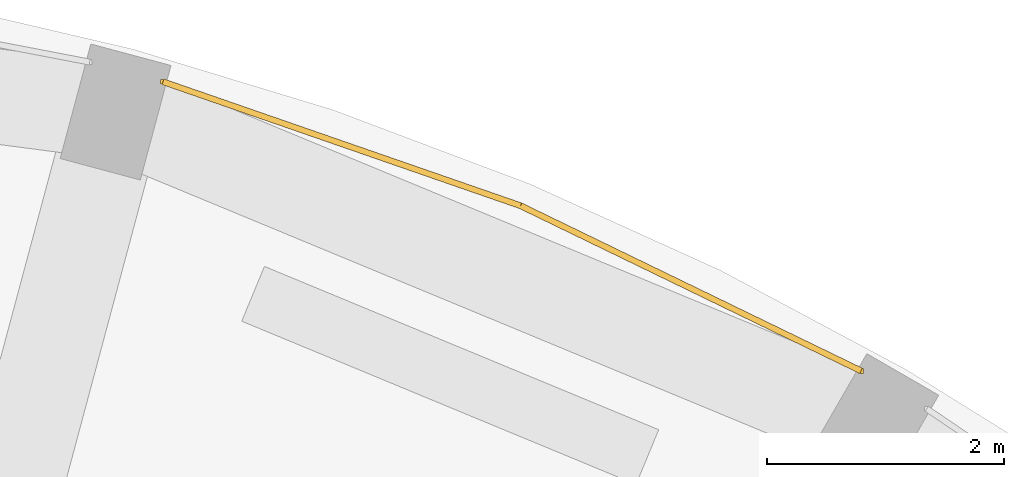
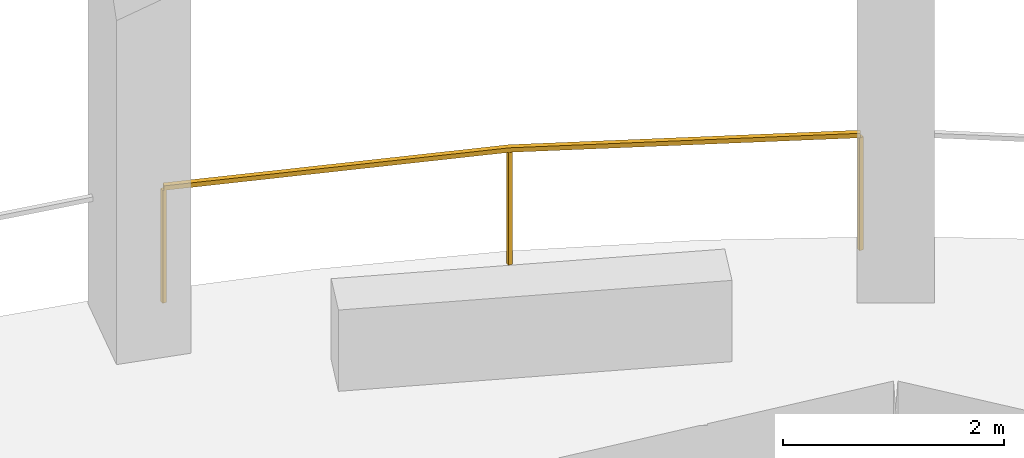
# One storey, part 9 of 9: 1 railing.
"""IFC4 building model written with IfcOpenShell, lengths in metres."""

from ifc_helpers import new_model, si_unit, direction, frame, origin, origin_2d, place, context, subcontext, project, spatial, rectangle, extrude, material, type_object, element, save


model = new_model("IFC4")

# Units and contexts
model_context = context("Model", 3, precision=1e-05, world=origin(), true_north=direction((0.0, 1.0)))
body_context = subcontext(model_context, "Body", "Model", "MODEL_VIEW")
ifc_project = project(units=[si_unit("LENGTHUNIT", "METRE"), si_unit("AREAUNIT", "SQUARE_METRE"), si_unit("VOLUMEUNIT", "CUBIC_METRE"), si_unit("PLANEANGLEUNIT", "RADIAN"), si_unit("MASSUNIT", "GRAM", prefix="KILO")], contexts=[model_context])

# Site, building, storey
site_placement = place(None, origin())
site = spatial("IfcSite", under=ifc_project, at=site_placement, CompositionType="ELEMENT")
building_placement = place(site_placement, origin())
building = spatial("IfcBuilding", under=site, at=building_placement, Name="Torre Triforio", CompositionType="ELEMENT")
storey_placement = place(building_placement, frame((0.0, 0.0, 59.0)))
storey = spatial("IfcBuildingStorey", under=building, at=storey_placement, Name="L12", CompositionType="ELEMENT", Elevation=59.0)

# Railing
ifc_material = material(Name="Stainless steel AISI 316", Category="steel")
railing_type = type_object("IfcRailingType", Name="Loggia guard 1300", PredefinedType="GUARDRAIL", material=ifc_material)
railing_placement = place(storey_placement, frame((13.14794921875, 23.412841796875, 0.0)))
element("IfcRailing", 1, at=railing_placement, inside=storey, type_object=railing_type, Name="Loggia guard L12 bay 05", PredefinedType="GUARDRAIL", context=body_context, shape_type="SweptSolid", body=[
    extrude(rectangle(XDim=0.050048828125, YDim=0.050048828125, at=origin_2d()), frame((0.0, 0.0, 1.27490234375), z_axis=(-0.899760432952, 0.436384192305, 0.0), x_axis=(-0.436384192305, -0.899760432952, 0.0)), (0.0, 0.0, 1.0), 3.19287109375),
    extrude(rectangle(XDim=0.050048828125, YDim=0.050048828125, at=origin_2d()), frame((-2.872802734375, 1.393310546875, 1.27490234375), z_axis=(-0.94480685358, 0.327627852034, 0.0), x_axis=(-0.327627852034, -0.94480685358, 0.0)), (0.0, 0.0, 1.0), 3.193115234375),
    extrude(rectangle(XDim=0.0400390625, YDim=0.0400390625, at=origin_2d()), origin(), (0.0, 0.0, 1.0), 1.25),
    extrude(rectangle(XDim=0.0400390625, YDim=0.0400390625, at=origin_2d()), frame((-2.872802734375, 1.393310546875, 0.0)), (0.0, 0.0, 1.0), 1.25),
    extrude(rectangle(XDim=0.0400390625, YDim=0.0400390625, at=origin_2d()), frame((-5.8896484375, 2.439453125, 0.0)), (0.0, 0.0, 1.0), 1.25),
])

save(model, "model.ifc")
